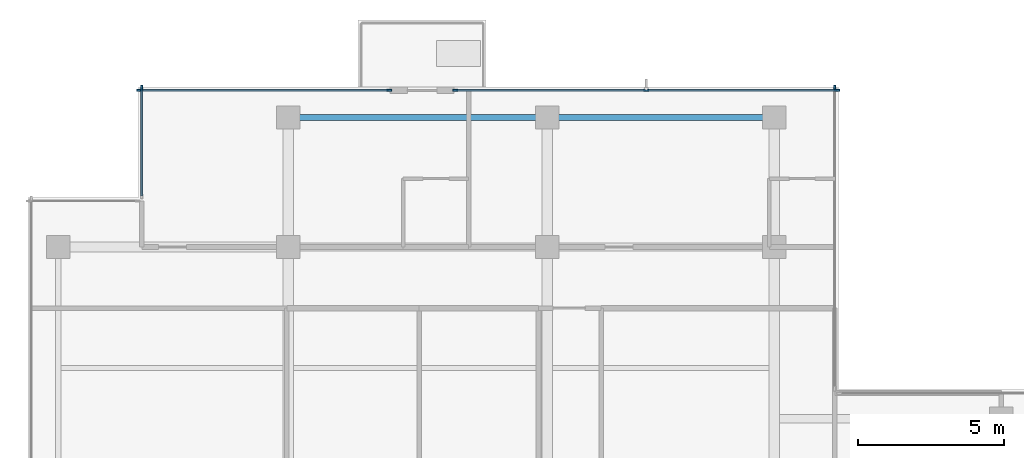
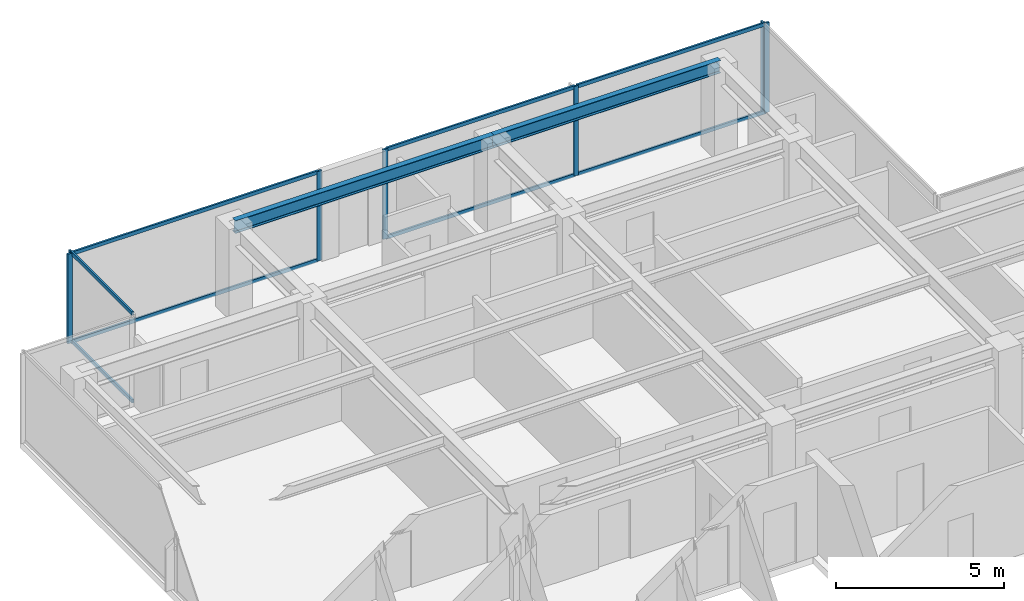
# One storey, part 4 of 11: 15 members, 2 beams, 4 elements without a shape of their own.
"""IFC4 building model written with IfcOpenShell, lengths in metres."""

from ifc_helpers import new_model, si_unit, direction, frame, origin, origin_2d, place, context, subcontext, project, spatial, rectangle, i_section, extrude, material, layer, layer_set, material_profile, profile_set, type_object, element, aggregate, save


model = new_model("IFC4")

# Units and contexts
model_context = context("Model", 3, precision=1e-05, world=origin(), true_north=direction((0.0, 1.0)))
body_context = subcontext(model_context, "Body", "Model", "MODEL_VIEW")
ifc_project = project(units=[si_unit("LENGTHUNIT", "METRE"), si_unit("AREAUNIT", "SQUARE_METRE"), si_unit("VOLUMEUNIT", "CUBIC_METRE"), si_unit("PLANEANGLEUNIT", "RADIAN"), si_unit("MASSUNIT", "GRAM", prefix="KILO")], contexts=[model_context])

# Site, building, storey
site_placement = place(None, origin())
site = spatial("IfcSite", under=ifc_project, at=site_placement, CompositionType="ELEMENT")
building_placement = place(site_placement, origin())
building = spatial("IfcBuilding", under=site, at=building_placement, Name="Qalmaran Belvedere Hotel", CompositionType="ELEMENT")
storey_placement = place(building_placement, frame((0.0, 0.0, 273.89990234375)))
storey = spatial("IfcBuildingStorey", under=building, at=storey_placement, Name="L71", CompositionType="ELEMENT", Elevation=273.89990234375)

# Beams
ifc_material_1 = material(Name="Steel S355JR", Category="steel")
ifc_material_profile_1 = material_profile(ifc_material_1, i_section(OverallWidth=0.19189453125, OverallDepth=0.462890625, WebThickness=0.010498046875, FlangeThickness=0.017578125, FilletRadius=0.01611328125, at=origin_2d()), Name="W460X89")
ifc_profile_set_1 = profile_set([ifc_material_profile_1], Name="Steel S355JR")
beam_type = type_object("IfcBeamType", Name="BM-SP2-W460X89", PredefinedType="SPANDREL", material=ifc_profile_set_1)
beam_1_placement = place(storey_placement, frame((20.300048828125, 37.449951171875, 3.028564453125), z_axis=(1.0, 0.0, 0.0), x_axis=(0.0, 1.0, 0.0)))
element("IfcBeam", 1, at=beam_1_placement, inside=storey, type_object=beam_type, Name="L71 Perimeter Spandrel 04", PredefinedType="SPANDREL", context=body_context, shape_type="SweptSolid", body=[
    extrude(i_section(OverallWidth=0.19189453125, OverallDepth=0.462890625, WebThickness=0.010498046875, FlangeThickness=0.017578125, FilletRadius=0.01611328125, at=origin_2d()), origin(), (0.0, 0.0, 1.0), 8.89990234375),
])
beam_2_placement = place(storey_placement, frame((29.199951171875, 37.449951171875, 3.028564453125), z_axis=(1.0, 0.0, 0.0), x_axis=(0.0, 1.0, 0.0)))
element("IfcBeam", 2, at=beam_2_placement, inside=storey, type_object=beam_type, Name="L71 Perimeter Spandrel 05", PredefinedType="SPANDREL", context=body_context, shape_type="SweptSolid", body=[
    extrude(i_section(OverallWidth=0.19189453125, OverallDepth=0.462890625, WebThickness=0.010498046875, FlangeThickness=0.017578125, FilletRadius=0.01611328125, at=origin_2d()), origin(), (0.0, 0.0, 1.0), 7.800048828125),
])

# Curtain wall, member
ifc_material_2 = material(Name="Anodised Bronze Aluminium", Category="aluminium")
ifc_layer = layer(ifc_material_2, 0.18505859375, Name="Anodised Bronze Aluminium")
ifc_layer_set = layer_set([ifc_layer], Name="Anodised Bronze Aluminium")
curtain_wall_type = type_object("IfcCurtainWallType", Name="CW6-TOWER-SKY", PredefinedType="NOTDEFINED", material=ifc_layer_set)
curtain_wall_1_placement = place(storey_placement, origin())
curtain_wall_1 = element("IfcCurtainWall", 3, at=curtain_wall_1_placement, inside=storey, type_object=curtain_wall_type, Name="L71 Curtain Wall CW6", PredefinedType="NOTDEFINED")
ifc_material_profile_2 = material_profile(ifc_material_2, rectangle(XDim=0.06494140625, YDim=0.1650390625, at=origin_2d()), Name="CWM65X165")
ifc_profile_set_2 = profile_set([ifc_material_profile_2], Name="Anodised Bronze Aluminium")
member_type_1 = type_object("IfcMemberType", Name="CWM-65X165", PredefinedType="MULLION", material=ifc_profile_set_2)
member_1_placement = place(storey_placement, frame((39.080078125, 38.467529296875, 0.0), z_axis=(0.0, 0.0, 1.0), x_axis=(-1.0, 0.0, 0.0)))
member_1 = element("IfcMember", 4, at=member_1_placement, type_object=member_type_1, Name="CW6 mullion 2", PredefinedType="MULLION", context=body_context, shape_type="SweptSolid", body=[
    extrude(rectangle(XDim=0.06494140625, YDim=0.1650390625, at=origin_2d()), origin(), (0.0, 0.0, 1.0), 3.260009765625),
])
aggregate(curtain_wall_1, [member_1])

# Curtain wall, members
curtain_wall_2_placement = place(storey_placement, origin())
curtain_wall_2 = element("IfcCurtainWall", 5, at=curtain_wall_2_placement, inside=storey, type_object=curtain_wall_type, Name="L71 Curtain Wall CW6", PredefinedType="NOTDEFINED")
member_2_placement = place(storey_placement, frame((23.767578125, 38.3798828125, 0.0), z_axis=(0.0, 0.0, 1.0), x_axis=(0.0, -1.0, 0.0)))
member_2 = element("IfcMember", 6, at=member_2_placement, type_object=member_type_1, Name="CW6 mullion 1", PredefinedType="MULLION", context=body_context, shape_type="SweptSolid", body=[
    extrude(rectangle(XDim=0.06494140625, YDim=0.1650390625, at=origin_2d()), origin(), (0.0, 0.0, 1.0), 3.260009765625),
])
member_3_placement = place(storey_placement, frame((15.1826171875, 38.3798828125, 0.0), z_axis=(0.0, 0.0, 1.0), x_axis=(0.0, -1.0, 0.0)))
member_3 = element("IfcMember", 7, at=member_3_placement, type_object=member_type_1, Name="CW6 mullion 2", PredefinedType="MULLION", context=body_context, shape_type="SweptSolid", body=[
    extrude(rectangle(XDim=0.06494140625, YDim=0.1650390625, at=origin_2d()), origin(), (0.0, 0.0, 1.0), 3.260009765625),
])

curtain_wall_3_placement = place(storey_placement, origin())
curtain_wall_3 = element("IfcCurtainWall", 8, at=curtain_wall_3_placement, inside=storey, type_object=curtain_wall_type, Name="L71 Curtain Wall CW6", PredefinedType="NOTDEFINED")
member_4_placement = place(storey_placement, frame((39.16748046875, 38.3798828125, 0.0), z_axis=(0.0, 0.0, 1.0), x_axis=(0.0, -1.0, 0.0)))
member_4 = element("IfcMember", 9, at=member_4_placement, type_object=member_type_1, Name="CW6 mullion 1", PredefinedType="MULLION", context=body_context, shape_type="SweptSolid", body=[
    extrude(rectangle(XDim=0.06494140625, YDim=0.1650390625, at=origin_2d()), origin(), (0.0, 0.0, 1.0), 3.260009765625),
])
member_5_placement = place(storey_placement, frame((32.60009765625, 38.3798828125, 0.0), z_axis=(0.0, 0.0, 1.0), x_axis=(0.0, -1.0, 0.0)))
member_5 = element("IfcMember", 10, at=member_5_placement, type_object=member_type_1, Name="CW6 mullion 2", PredefinedType="MULLION", context=body_context, shape_type="SweptSolid", body=[
    extrude(rectangle(XDim=0.06494140625, YDim=0.1650390625, at=origin_2d()), origin(), (0.0, 0.0, 1.0), 3.260009765625),
])
member_6_placement = place(storey_placement, frame((26.032470703125, 38.3798828125, 0.0), z_axis=(0.0, 0.0, 1.0), x_axis=(0.0, -1.0, 0.0)))
member_6 = element("IfcMember", 11, at=member_6_placement, type_object=member_type_1, Name="CW6 mullion 3", PredefinedType="MULLION", context=body_context, shape_type="SweptSolid", body=[
    extrude(rectangle(XDim=0.06494140625, YDim=0.1650390625, at=origin_2d()), origin(), (0.0, 0.0, 1.0), 3.260009765625),
])

# Curtain wall, member
curtain_wall_4_placement = place(storey_placement, origin())
curtain_wall_4 = element("IfcCurtainWall", 12, at=curtain_wall_4_placement, inside=storey, type_object=curtain_wall_type, Name="L71 Curtain Wall CW6", PredefinedType="NOTDEFINED")
member_7_placement = place(storey_placement, frame((15.27001953125, 38.467529296875, 0.0), z_axis=(0.0, 0.0, 1.0), x_axis=(1.0, 0.0, 0.0)))
member_7 = element("IfcMember", 13, at=member_7_placement, type_object=member_type_1, Name="CW6 mullion 1", PredefinedType="MULLION", context=body_context, shape_type="SweptSolid", body=[
    extrude(rectangle(XDim=0.06494140625, YDim=0.1650390625, at=origin_2d()), origin(), (0.0, 0.0, 1.0), 3.260009765625),
])

# Member
ifc_material_profile_3 = material_profile(ifc_material_2, rectangle(XDim=0.06494140625, YDim=0.1298828125, at=origin_2d()), Name="CWT65X130")
ifc_profile_set_3 = profile_set([ifc_material_profile_3], Name="Anodised Bronze Aluminium")
member_type_2 = type_object("IfcMemberType", Name="CWT-65X130", PredefinedType="USERDEFINED", material=ifc_profile_set_3)
member_8_placement = place(storey_placement, frame((23.735107421875, 38.3798828125, 0.03271484375), z_axis=(-1.0, 0.0, 0.0), x_axis=(0.0, -1.0, 0.0)))
member_8 = element("IfcMember", 14, at=member_8_placement, type_object=member_type_2, Name="CW6 transom 1.1", ObjectType="TRANSOM", PredefinedType="USERDEFINED", context=body_context, shape_type="SweptSolid", body=[
    extrude(rectangle(XDim=0.06494140625, YDim=0.1298828125, at=origin_2d()), origin(), (0.0, 0.0, 1.0), 8.52001953125),
])

member_9_placement = place(storey_placement, frame((23.735107421875, 38.3798828125, 3.2275390625), z_axis=(-1.0, 0.0, 0.0), x_axis=(0.0, -1.0, 0.0)))
member_9 = element("IfcMember", 15, at=member_9_placement, type_object=member_type_2, Name="CW6 transom 1.2", ObjectType="TRANSOM", PredefinedType="USERDEFINED", context=body_context, shape_type="SweptSolid", body=[
    extrude(rectangle(XDim=0.06494140625, YDim=0.1298828125, at=origin_2d()), origin(), (0.0, 0.0, 1.0), 8.52001953125),
])

aggregate(curtain_wall_2, [member_2, member_3, member_8, member_9])

member_10_placement = place(storey_placement, frame((39.135009765625, 38.3798828125, 0.03271484375), z_axis=(-1.0, 0.0, 0.0), x_axis=(0.0, -1.0, 0.0)))
member_10 = element("IfcMember", 16, at=member_10_placement, type_object=member_type_2, Name="CW6 transom 1.1", ObjectType="TRANSOM", PredefinedType="USERDEFINED", context=body_context, shape_type="SweptSolid", body=[
    extrude(rectangle(XDim=0.06494140625, YDim=0.1298828125, at=origin_2d()), origin(), (0.0, 0.0, 1.0), 6.50244140625),
])

member_11_placement = place(storey_placement, frame((39.135009765625, 38.3798828125, 3.2275390625), z_axis=(-1.0, 0.0, 0.0), x_axis=(0.0, -1.0, 0.0)))
member_11 = element("IfcMember", 17, at=member_11_placement, type_object=member_type_2, Name="CW6 transom 1.2", ObjectType="TRANSOM", PredefinedType="USERDEFINED", context=body_context, shape_type="SweptSolid", body=[
    extrude(rectangle(XDim=0.06494140625, YDim=0.1298828125, at=origin_2d()), origin(), (0.0, 0.0, 1.0), 6.50244140625),
])

member_12_placement = place(storey_placement, frame((32.5673828125, 38.3798828125, 0.03271484375), z_axis=(-1.0, 0.0, 0.0), x_axis=(0.0, -1.0, 0.0)))
member_12 = element("IfcMember", 18, at=member_12_placement, type_object=member_type_2, Name="CW6 transom 2.1", ObjectType="TRANSOM", PredefinedType="USERDEFINED", context=body_context, shape_type="SweptSolid", body=[
    extrude(rectangle(XDim=0.06494140625, YDim=0.1298828125, at=origin_2d()), origin(), (0.0, 0.0, 1.0), 6.50244140625),
])

member_13_placement = place(storey_placement, frame((32.5673828125, 38.3798828125, 3.2275390625), z_axis=(-1.0, 0.0, 0.0), x_axis=(0.0, -1.0, 0.0)))
member_13 = element("IfcMember", 19, at=member_13_placement, type_object=member_type_2, Name="CW6 transom 2.2", ObjectType="TRANSOM", PredefinedType="USERDEFINED", context=body_context, shape_type="SweptSolid", body=[
    extrude(rectangle(XDim=0.06494140625, YDim=0.1298828125, at=origin_2d()), origin(), (0.0, 0.0, 1.0), 6.50244140625),
])

aggregate(curtain_wall_3, [member_4, member_5, member_6, member_10, member_11, member_12, member_13])

member_14_placement = place(storey_placement, frame((15.27001953125, 38.43505859375, 0.03271484375), z_axis=(0.0, -1.0, 0.0), x_axis=(1.0, 0.0, 0.0)))
member_14 = element("IfcMember", 20, at=member_14_placement, type_object=member_type_2, Name="CW6 transom 1.1", ObjectType="TRANSOM", PredefinedType="USERDEFINED", context=body_context, shape_type="SweptSolid", body=[
    extrude(rectangle(XDim=0.06494140625, YDim=0.1298828125, at=origin_2d()), origin(), (0.0, 0.0, 1.0), 3.670166015625),
])

member_15_placement = place(storey_placement, frame((15.27001953125, 38.43505859375, 3.2275390625), z_axis=(0.0, -1.0, 0.0), x_axis=(1.0, 0.0, 0.0)))
member_15 = element("IfcMember", 21, at=member_15_placement, type_object=member_type_2, Name="CW6 transom 1.2", ObjectType="TRANSOM", PredefinedType="USERDEFINED", context=body_context, shape_type="SweptSolid", body=[
    extrude(rectangle(XDim=0.06494140625, YDim=0.1298828125, at=origin_2d()), origin(), (0.0, 0.0, 1.0), 3.670166015625),
])

aggregate(curtain_wall_4, [member_7, member_14, member_15])

save(model, "model.ifc")
